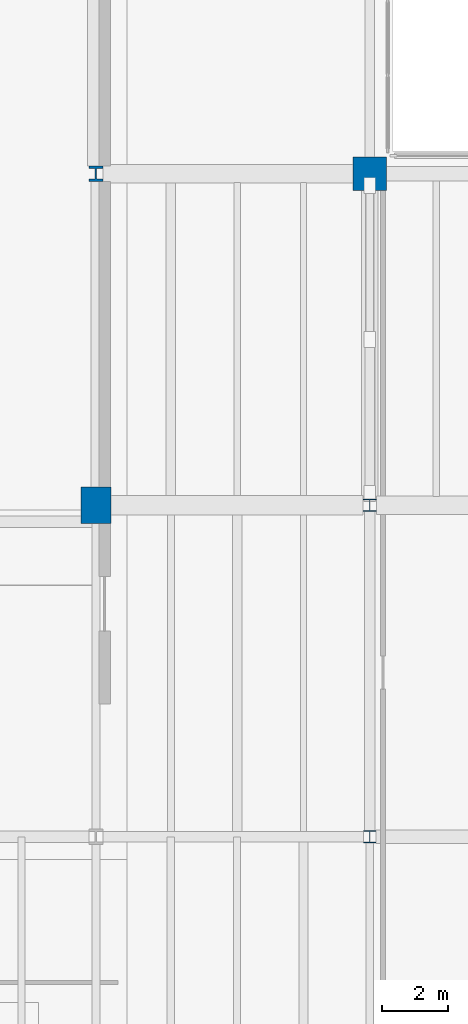
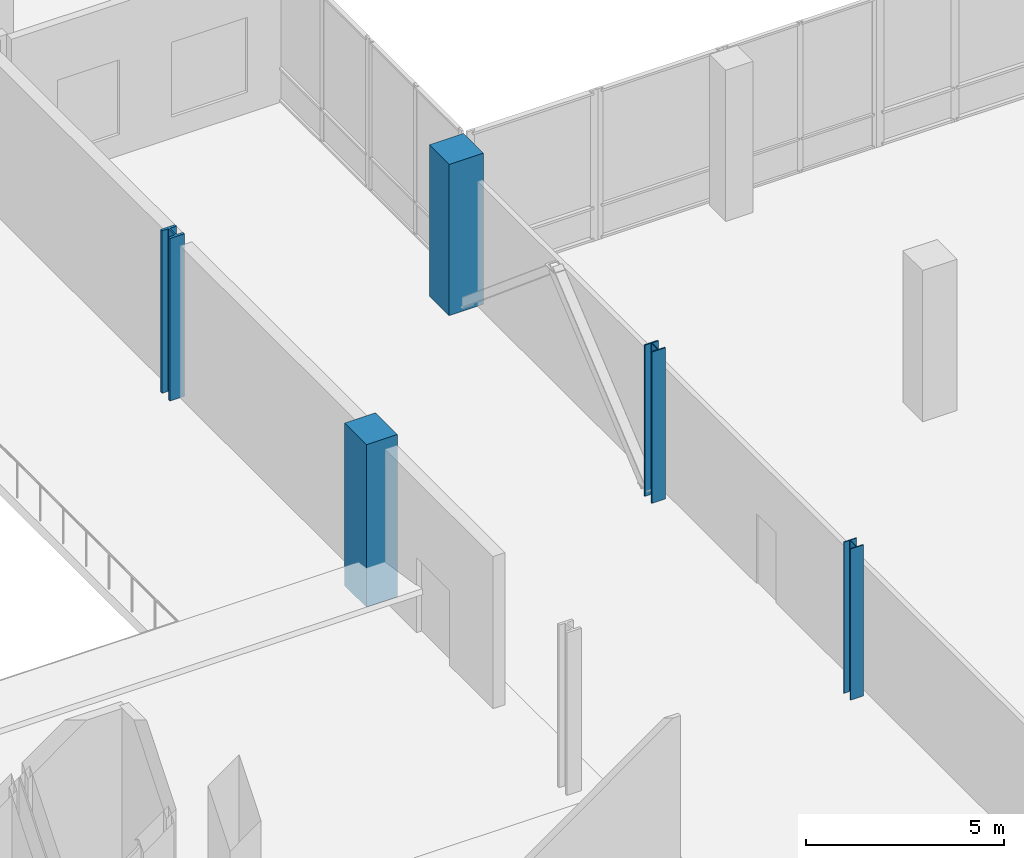
# One storey, part 5 of 60: 5 columns.
"""IFC4 building model written with IfcOpenShell, lengths in metres."""

from ifc_helpers import new_model, si_unit, direction, frame, origin, origin_2d, place, context, subcontext, project, spatial, rectangle, i_section, extrude, material, material_profile, profile_set, type_object, element, save


model = new_model("IFC4")

# Units and contexts
model_context = context("Model", 3, precision=1e-05, world=origin(), true_north=direction((0.0, 1.0)))
body_context = subcontext(model_context, "Body", "Model", "MODEL_VIEW")
ifc_project = project(units=[si_unit("LENGTHUNIT", "METRE"), si_unit("AREAUNIT", "SQUARE_METRE"), si_unit("VOLUMEUNIT", "CUBIC_METRE"), si_unit("PLANEANGLEUNIT", "RADIAN"), si_unit("MASSUNIT", "GRAM", prefix="KILO")], contexts=[model_context])

# Site, building, storey
site_placement = place(None, origin())
site = spatial("IfcSite", under=ifc_project, at=site_placement, CompositionType="ELEMENT")
building_placement = place(site_placement, origin())
building = spatial("IfcBuilding", under=site, at=building_placement, Name="Trimount Lyric Opera House", CompositionType="ELEMENT")
storey_placement = place(building_placement, frame((0.0, 0.0, 15.0)))
storey = spatial("IfcBuildingStorey", under=building, at=storey_placement, Name="L03", CompositionType="ELEMENT", Elevation=15.0)

# Columns
ifc_material_1 = material(Name="Steel ASTM A992 Grade 50", Category="steel")
ifc_material_profile_1 = material_profile(ifc_material_1, i_section(OverallWidth=0.422119140625, OverallDepth=0.465087890625, WebThickness=0.044921875, FlangeThickness=0.072509765625, FilletRadius=0.02001953125, at=origin_2d()), Name="W14X398")
ifc_profile_set_1 = profile_set([ifc_material_profile_1], Name="Steel ASTM A992 Grade 50")
column_type_1 = type_object("IfcColumnType", Name="C-01", PredefinedType="COLUMN", material=ifc_profile_set_1)
column_1_placement = place(storey_placement, frame((113.739990234375, 74.0, 0.0), z_axis=(0.0, 0.0, 1.0), x_axis=(1.0, 0.0, 0.0)))
element("IfcColumn", 1, at=column_1_placement, inside=storey, type_object=column_type_1, Name="L03 column 13/J", PredefinedType="COLUMN", context=body_context, shape_type="SweptSolid", body=[
    extrude(i_section(OverallWidth=0.422119140625, OverallDepth=0.465087890625, WebThickness=0.044921875, FlangeThickness=0.072509765625, FilletRadius=0.02001953125, at=origin_2d()), origin(), (0.0, 0.0, 1.0), 5.0),
])
ifc_material_2 = material(Name="Steel ASTM A992 Grade 50", Category="steel")
ifc_material_profile_2 = material_profile(ifc_material_2, i_section(OverallWidth=0.39892578125, OverallDepth=0.385986328125, WebThickness=0.02099609375, FlangeThickness=0.033203125, FilletRadius=0.01611328125, at=origin_2d()), Name="W14X176")
ifc_profile_set_2 = profile_set([ifc_material_profile_2], Name="Steel ASTM A992 Grade 50")
column_type_2 = type_object("IfcColumnType", Name="C-03", PredefinedType="COLUMN", material=ifc_profile_set_2)
column_2_placement = place(storey_placement, frame((122.0, 64.0, 0.0), z_axis=(0.0, 0.0, 1.0), x_axis=(1.0, 0.0, 0.0)))
element("IfcColumn", 2, at=column_2_placement, inside=storey, type_object=column_type_2, Name="L03 column 14/H", PredefinedType="COLUMN", context=body_context, shape_type="SweptSolid", body=[
    extrude(i_section(OverallWidth=0.39892578125, OverallDepth=0.385986328125, WebThickness=0.02099609375, FlangeThickness=0.033203125, FilletRadius=0.01611328125, at=origin_2d()), origin(), (0.0, 0.0, 1.0), 4.64990234375),
])
ifc_material_3 = material(Name="Steel ASTM A992 Grade 50", Category="steel")
ifc_material_profile_3 = material_profile(ifc_material_3, i_section(OverallWidth=0.373046875, OverallDepth=0.367919921875, WebThickness=0.014892578125, FlangeThickness=0.02392578125, FilletRadius=0.014892578125, at=origin_2d()), Name="W14X120")
ifc_profile_set_3 = profile_set([ifc_material_profile_3], Name="Steel ASTM A992 Grade 50")
column_type_3 = type_object("IfcColumnType", Name="C-08", PredefinedType="COLUMN", material=ifc_profile_set_3)
column_3_placement = place(storey_placement, frame((122.0, 54.0, 0.0), z_axis=(0.0, 0.0, 1.0), x_axis=(1.0, 0.0, 0.0)))
element("IfcColumn", 3, at=column_3_placement, inside=storey, type_object=column_type_3, Name="L03 column 14/G", PredefinedType="COLUMN", context=body_context, shape_type="SweptSolid", body=[
    extrude(i_section(OverallWidth=0.373046875, OverallDepth=0.367919921875, WebThickness=0.014892578125, FlangeThickness=0.02392578125, FilletRadius=0.014892578125, at=origin_2d()), origin(), (0.0, 0.0, 1.0), 4.64990234375),
])
ifc_material_4 = material(Name="Concrete C50/60", Category="concrete")
ifc_material_profile_4 = material_profile(ifc_material_4, rectangle(XDim=0.89990234375, YDim=1.10009765625, at=origin_2d()), Name="RC1100X900")
ifc_profile_set_4 = profile_set([ifc_material_profile_4], Name="Concrete C50/60")
column_type_4 = type_object("IfcColumnType", Name="C-11", PredefinedType="COLUMN", material=ifc_profile_set_4)
column_4_placement = place(storey_placement, frame((113.739990234375, 64.0, 0.0), z_axis=(0.0, 0.0, 1.0), x_axis=(1.0, 0.0, 0.0)))
element("IfcColumn", 4, at=column_4_placement, inside=storey, type_object=column_type_4, Name="L03 column 13/H", PredefinedType="COLUMN", context=body_context, shape_type="SweptSolid", body=[
    extrude(rectangle(XDim=0.89990234375, YDim=1.10009765625, at=origin_2d()), origin(), (0.0, 0.0, 1.0), 5.0),
])
ifc_material_5 = material(Name="Concrete C50/60", Category="concrete")
ifc_material_profile_5 = material_profile(ifc_material_5, rectangle(XDim=1.0, YDim=1.0, at=origin_2d()), Name="RC1000X1000")
ifc_profile_set_5 = profile_set([ifc_material_profile_5], Name="Concrete C50/60")
column_type_5 = type_object("IfcColumnType", Name="C-12", PredefinedType="COLUMN", material=ifc_profile_set_5)
column_5_placement = place(storey_placement, frame((122.0, 74.0, 0.0), z_axis=(0.0, 0.0, 1.0), x_axis=(1.0, 0.0, 0.0)))
element("IfcColumn", 5, at=column_5_placement, inside=storey, type_object=column_type_5, Name="L03 column 14/J", PredefinedType="COLUMN", context=body_context, shape_type="SweptSolid", body=[
    extrude(rectangle(XDim=1.0, YDim=1.0, at=origin_2d()), origin(), (0.0, 0.0, 1.0), 4.64990234375),
])

save(model, "model.ifc")
